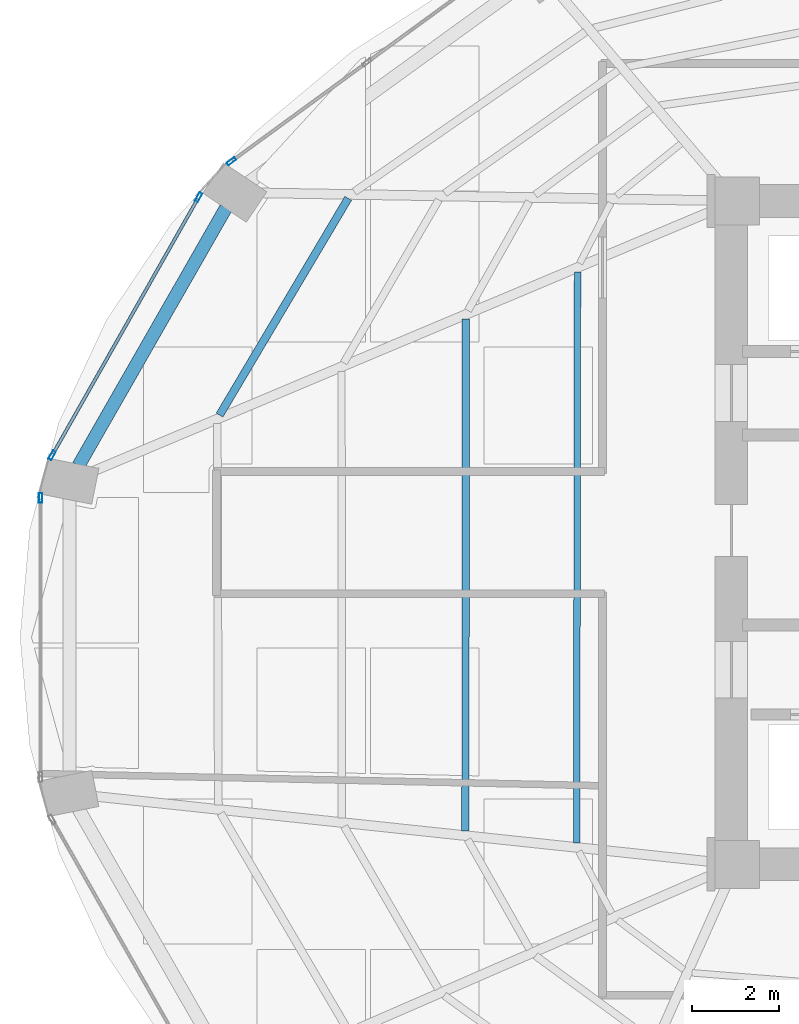
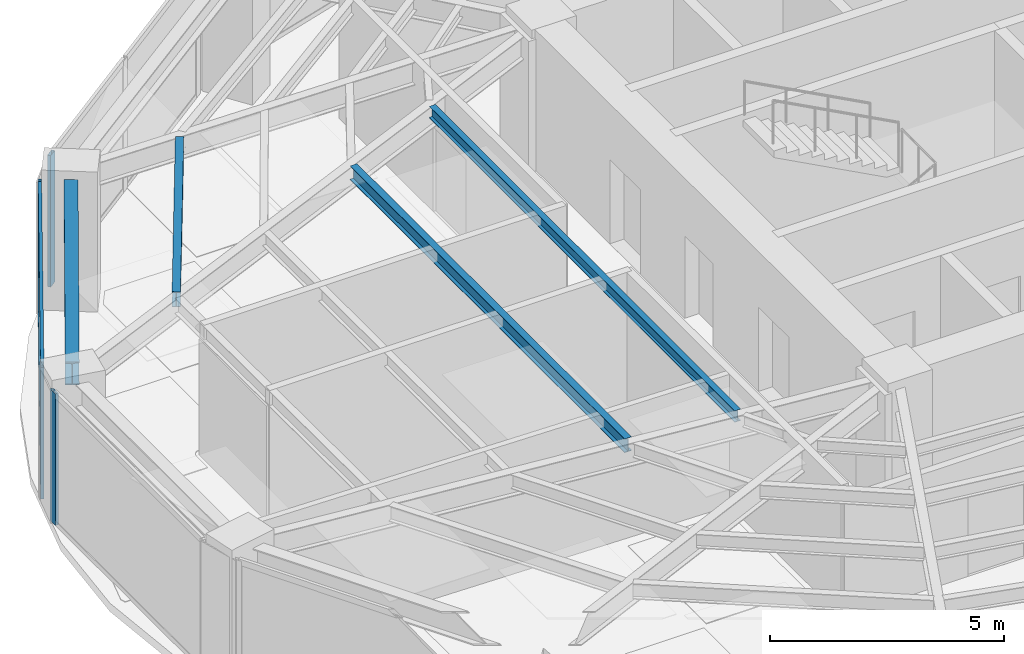
# One storey, part 8 of 24: 6 members, 4 beams, 3 elements without a shape of their own.
"""IFC4 building model written with IfcOpenShell, lengths in metres."""

from ifc_helpers import new_model, si_unit, direction, frame, origin, origin_2d, place, context, subcontext, project, spatial, hollow_rectangle, i_section, extrude, material, layer, layer_set, material_profile, profile_set, type_object, element, aggregate, save


model = new_model("IFC4")

# Units and contexts
model_context = context("Model", 3, precision=1e-05, world=origin(), true_north=direction((0.0, 1.0)))
body_context = subcontext(model_context, "Body", "Model", "MODEL_VIEW")
ifc_project = project(units=[si_unit("LENGTHUNIT", "METRE"), si_unit("AREAUNIT", "SQUARE_METRE"), si_unit("VOLUMEUNIT", "CUBIC_METRE"), si_unit("PLANEANGLEUNIT", "RADIAN"), si_unit("MASSUNIT", "GRAM", prefix="KILO")], contexts=[model_context])

# Site, building, storey
site_placement = place(None, origin())
site = spatial("IfcSite", under=ifc_project, at=site_placement, CompositionType="ELEMENT")
building_placement = place(site_placement, origin())
building = spatial("IfcBuilding", under=site, at=building_placement, Name="Lazwardi Medical Tower", CompositionType="ELEMENT")
storey_placement = place(building_placement, frame((0.0, 0.0, 103.632080078125)))
storey = spatial("IfcBuildingStorey", under=building, at=storey_placement, Name="L26", CompositionType="ELEMENT", Elevation=103.632080078125)

# Beams
ifc_material_1 = material(Name="Steel S355", Category="steel")
ifc_material_profile_1 = material_profile(ifc_material_1, i_section(OverallWidth=0.300048828125, OverallDepth=0.60009765625, WebThickness=0.015380859375, FlangeThickness=0.030029296875, at=origin_2d()), Name="HEB 600")
ifc_profile_set_1 = profile_set([ifc_material_profile_1], Name="Steel S355")
beam_type_1 = type_object("IfcBeamType", Name="BM-RB-Z2", PredefinedType="BEAM", material=ifc_profile_set_1)
beam_1_placement = place(storey_placement, frame((14.718505859375, 35.438720703125, 3.1279296875), z_axis=(-0.496653025517, -0.867949176072, 0.0), x_axis=(0.867949176072, -0.496653025517, 0.0)))
element("IfcBeam", 1, at=beam_1_placement, inside=storey, type_object=beam_type_1, Name="Ring beam RB-03 B11 L26", PredefinedType="BEAM", context=body_context, shape_type="SweptSolid", body=[
    extrude(i_section(OverallWidth=0.300048828125, OverallDepth=0.60009765625, WebThickness=0.015380859375, FlangeThickness=0.030029296875, at=origin_2d()), origin(), (0.0, 0.0, 1.0), 6.80078125),
])
ifc_material_profile_2 = material_profile(ifc_material_1, i_section(OverallWidth=0.179931640625, OverallDepth=0.39990234375, WebThickness=0.008544921875, FlangeThickness=0.013427734375, at=origin_2d()), Name="IPE 400")
ifc_profile_set_2 = profile_set([ifc_material_profile_2], Name="Steel S355")
beam_type_2 = type_object("IfcBeamType", Name="BM-SJ-01", PredefinedType="JOIST", material=ifc_profile_set_2)
beam_2_placement = place(storey_placement, frame((17.52099609375, 35.659423828125, 3.22802734375), z_axis=(-0.510499691073, -0.859877936346, 0.0), x_axis=(0.859877936346, -0.510499691073, 0.0)))
element("IfcBeam", 2, at=beam_2_placement, inside=storey, type_object=beam_type_2, Name="Secondary joist SJ-01 R1 B11 L26", PredefinedType="JOIST", context=body_context, shape_type="SweptSolid", body=[
    extrude(i_section(OverallWidth=0.179931640625, OverallDepth=0.39990234375, WebThickness=0.008544921875, FlangeThickness=0.013427734375, at=origin_2d()), origin(), (0.0, 0.0, 1.0), 5.776123046875),
])
ifc_material_profile_3 = material_profile(ifc_material_1, i_section(OverallWidth=0.169921875, OverallDepth=0.360107421875, WebThickness=0.008056640625, FlangeThickness=0.0126953125, at=origin_2d()), Name="IPE 360")
ifc_profile_set_3 = profile_set([ifc_material_profile_3], Name="Steel S355")
beam_type_3 = type_object("IfcBeamType", Name="BM-SJ-02", PredefinedType="JOIST", material=ifc_profile_set_3)
beam_3_placement = place(storey_placement, frame((20.212890625, 32.892578125, 3.247802734375), z_axis=(-0.000561961365, -0.9999998421, 0.0), x_axis=(0.9999998421, -0.000561961365, 0.0)))
element("IfcBeam", 3, at=beam_3_placement, inside=storey, type_object=beam_type_3, Name="Secondary joist SJ-02 R3 B12 L26", PredefinedType="JOIST", context=body_context, shape_type="SweptSolid", body=[
    extrude(i_section(OverallWidth=0.169921875, OverallDepth=0.360107421875, WebThickness=0.008056640625, FlangeThickness=0.0126953125, at=origin_2d()), origin(), (0.0, 0.0, 1.0), 11.72998046875),
])
ifc_material_profile_4 = material_profile(ifc_material_1, i_section(OverallWidth=0.14990234375, OverallDepth=0.300048828125, WebThickness=0.007080078125, FlangeThickness=0.0107421875, at=origin_2d()), Name="IPE 300")
ifc_profile_set_4 = profile_set([ifc_material_profile_4], Name="Steel S355")
beam_type_4 = type_object("IfcBeamType", Name="BM-SJ-03", PredefinedType="JOIST", material=ifc_profile_set_4)
beam_4_placement = place(storey_placement, frame((22.77490234375, 33.97021484375, 3.27783203125), z_axis=(-0.00156809843, -0.999998770533, 0.0), x_axis=(0.999998770533, -0.00156809843, 0.0)))
element("IfcBeam", 4, at=beam_4_placement, inside=storey, type_object=beam_type_4, Name="Secondary joist SJ-03 R4 B12 L26", PredefinedType="JOIST", context=body_context, shape_type="SweptSolid", body=[
    extrude(i_section(OverallWidth=0.14990234375, OverallDepth=0.300048828125, WebThickness=0.007080078125, FlangeThickness=0.0107421875, at=origin_2d()), origin(), (0.0, 0.0, 1.0), 13.078125),
])

# Curtain wall, member
ifc_material_2 = material(Name="Anodised bronze aluminium and solar control glazing", Category="aluminium")
ifc_layer = layer(ifc_material_2, 0.195068359375)
ifc_layer_set = layer_set([ifc_layer], Name="Anodised bronze aluminium and solar control glazing")
curtain_wall_type = type_object("IfcCurtainWallType", Name="CW-SYS-03", PredefinedType="NOTDEFINED", material=ifc_layer_set)
curtain_wall_1_placement = place(storey_placement, origin())
curtain_wall_1 = element("IfcCurtainWall", 5, at=curtain_wall_1_placement, inside=storey, type_object=curtain_wall_type, Name="L26 Unitised bronze curtain wall CW-03", PredefinedType="NOTDEFINED")
ifc_material_3 = material(Name="Anodised bronze aluminium", Category="aluminium")
ifc_material_profile_5 = material_profile(ifc_material_3, hollow_rectangle(XDim=0.074951171875, YDim=0.219970703125, WallThickness=0.00390625, at=origin_2d()), Name="ALU-MULLION 220x75x4")
ifc_profile_set_5 = profile_set([ifc_material_profile_5], Name="Anodised bronze aluminium")
member_type_1 = type_object("IfcMemberType", Name="CW-MUL-01", PredefinedType="MULLION", material=ifc_profile_set_5)
member_1_placement = place(storey_placement, frame((14.844970703125, 36.5087890625, 0.0), z_axis=(0.0, 0.0, 1.0), x_axis=(0.589530882802, -0.807745837639, 0.0)))
member_1 = element("IfcMember", 6, at=member_1_placement, type_object=member_type_1, Name="CW-03 mullion 3", PredefinedType="MULLION", context=body_context, shape_type="SweptSolid", body=[
    extrude(hollow_rectangle(XDim=0.074951171875, YDim=0.219970703125, WallThickness=0.00390625, at=origin_2d()), origin(), (0.0, 0.0, 1.0), 3.427978515625),
])
aggregate(curtain_wall_1, [member_1])

# Curtain wall, members
curtain_wall_2_placement = place(storey_placement, origin())
curtain_wall_2 = element("IfcCurtainWall", 7, at=curtain_wall_2_placement, inside=storey, type_object=curtain_wall_type, Name="L26 Unitised bronze curtain wall CW-03", PredefinedType="NOTDEFINED")
member_2_placement = place(storey_placement, frame((14.0927734375, 35.685791015625, 0.0), z_axis=(0.0, 0.0, 1.0), x_axis=(0.869687265712, -0.493603140041, 0.0)))
member_2 = element("IfcMember", 8, at=member_2_placement, type_object=member_type_1, Name="CW-03 mullion 1", PredefinedType="MULLION", context=body_context, shape_type="SweptSolid", body=[
    extrude(hollow_rectangle(XDim=0.074951171875, YDim=0.219970703125, WallThickness=0.00390625, at=origin_2d()), origin(), (0.0, 0.0, 1.0), 3.427978515625),
])
member_3_placement = place(storey_placement, frame((10.7373046875, 29.77392578125, 0.0), z_axis=(0.0, 0.0, 1.0), x_axis=(0.869687265712, -0.493603140041, 0.0)))
member_3 = element("IfcMember", 9, at=member_3_placement, type_object=member_type_1, Name="CW-03 mullion 2", PredefinedType="MULLION", context=body_context, shape_type="SweptSolid", body=[
    extrude(hollow_rectangle(XDim=0.074951171875, YDim=0.219970703125, WallThickness=0.00390625, at=origin_2d()), origin(), (0.0, 0.0, 1.0), 3.427978515625),
])

# Curtain wall, member
curtain_wall_3_placement = place(storey_placement, origin())
curtain_wall_3 = element("IfcCurtainWall", 10, at=curtain_wall_3_placement, inside=storey, type_object=curtain_wall_type, Name="L26 Unitised bronze curtain wall CW-03", PredefinedType="NOTDEFINED")
member_4_placement = place(storey_placement, frame((10.471923828125, 28.79736328125, 0.0), z_axis=(0.0, 0.0, 1.0), x_axis=(1.0, 0.0, 0.0)))
member_4 = element("IfcMember", 11, at=member_4_placement, type_object=member_type_1, Name="CW-03 mullion 1", PredefinedType="MULLION", context=body_context, shape_type="SweptSolid", body=[
    extrude(hollow_rectangle(XDim=0.074951171875, YDim=0.219970703125, WallThickness=0.00390625, at=origin_2d()), origin(), (0.0, 0.0, 1.0), 3.427978515625),
])
aggregate(curtain_wall_3, [member_4])

# Member
ifc_material_profile_6 = material_profile(ifc_material_3, hollow_rectangle(XDim=0.074951171875, YDim=0.159912109375, WallThickness=0.00390625, at=origin_2d()), Name="ALU-TRANSOM 160x75x4")
ifc_profile_set_6 = profile_set([ifc_material_profile_6], Name="Anodised bronze aluminium")
member_type_2 = type_object("IfcMemberType", Name="CW-TRN-01", PredefinedType="USERDEFINED", material=ifc_profile_set_6)
member_5_placement = place(storey_placement, frame((14.074462890625, 35.6533203125, 0.037353515625), z_axis=(-0.493614427365, -0.869680859337, 0.0), x_axis=(0.869680859337, -0.493614427365, 0.0)))
member_5 = element("IfcMember", 12, at=member_5_placement, type_object=member_type_2, Name="CW-03 transom 1.1", ObjectType="TRANSOM", PredefinedType="USERDEFINED", context=body_context, shape_type="SweptSolid", body=[
    extrude(hollow_rectangle(XDim=0.074951171875, YDim=0.159912109375, WallThickness=0.00390625, at=origin_2d()), origin(), (0.0, 0.0, 1.0), 6.72314453125),
])

member_6_placement = place(storey_placement, frame((14.074462890625, 35.6533203125, 3.390380859375), z_axis=(-0.493614427365, -0.869680859337, 0.0), x_axis=(0.869680859337, -0.493614427365, 0.0)))
member_6 = element("IfcMember", 13, at=member_6_placement, type_object=member_type_2, Name="CW-03 transom 1.2", ObjectType="TRANSOM", PredefinedType="USERDEFINED", context=body_context, shape_type="SweptSolid", body=[
    extrude(hollow_rectangle(XDim=0.074951171875, YDim=0.159912109375, WallThickness=0.00390625, at=origin_2d()), origin(), (0.0, 0.0, 1.0), 6.72314453125),
])

aggregate(curtain_wall_2, [member_2, member_3, member_5, member_6])

save(model, "model.ifc")
